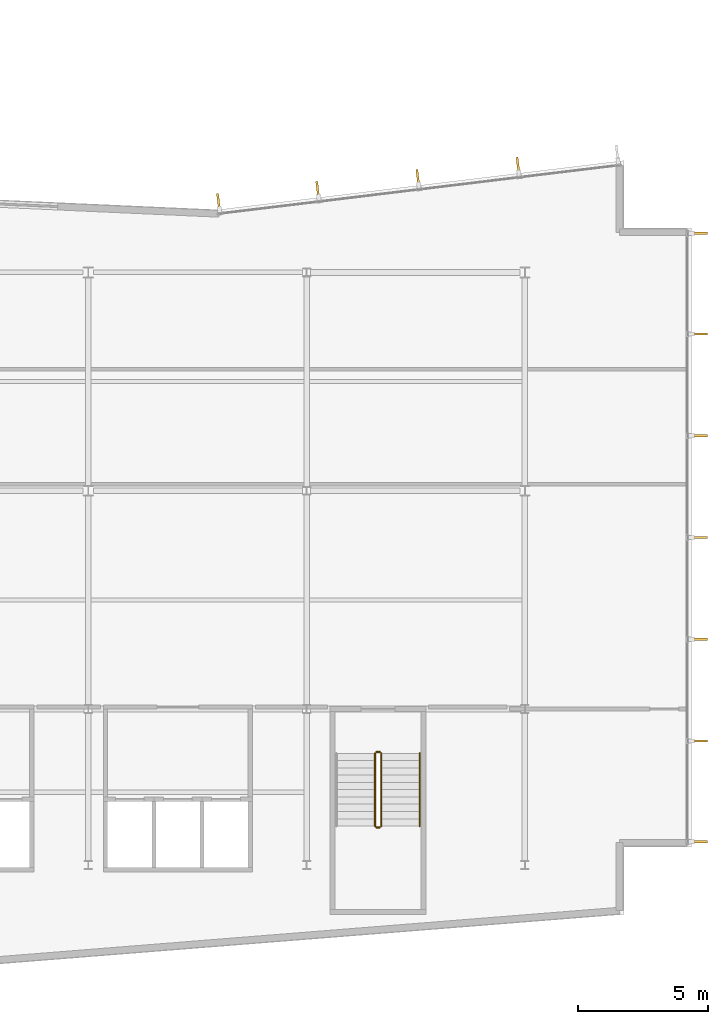
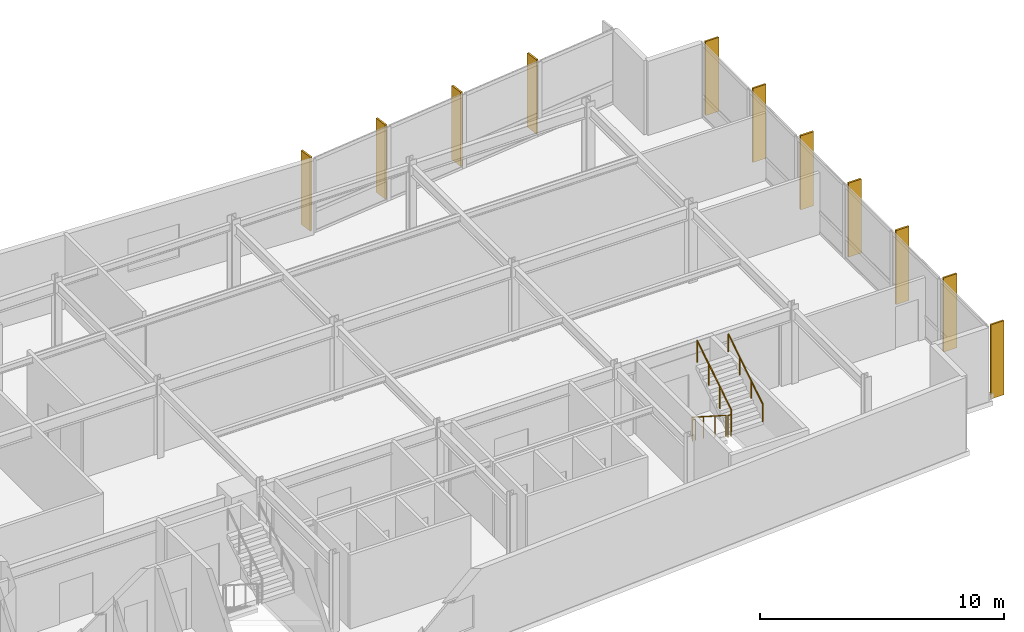
# One storey, part 15 of 17: 11 shading devices, 5 railings.
"""IFC4 building model written with IfcOpenShell, lengths in metres."""

from ifc_helpers import new_model, si_unit, direction, frame, origin, origin_2d, place, context, subcontext, project, spatial, rectangle, circle, extrude, material, layer, layer_set, type_object, element, save


model = new_model("IFC4")

# Units and contexts
model_context = context("Model", 3, precision=1e-05, world=origin(), true_north=direction((0.0, 1.0)))
body_context = subcontext(model_context, "Body", "Model", "MODEL_VIEW")
ifc_project = project(units=[si_unit("LENGTHUNIT", "METRE"), si_unit("AREAUNIT", "SQUARE_METRE"), si_unit("VOLUMEUNIT", "CUBIC_METRE"), si_unit("PLANEANGLEUNIT", "RADIAN"), si_unit("MASSUNIT", "GRAM", prefix="KILO")], contexts=[model_context])

# Site, building, storey
site_placement = place(None, origin())
site = spatial("IfcSite", under=ifc_project, at=site_placement, CompositionType="ELEMENT")
building_placement = place(site_placement, origin())
building = spatial("IfcBuilding", under=site, at=building_placement, Name="Varnakote Quay Hospital", CompositionType="ELEMENT")
storey_placement = place(building_placement, frame((0.0, 0.0, 103.35009765625)))
storey = spatial("IfcBuildingStorey", under=building, at=storey_placement, Name="L25", CompositionType="ELEMENT", Elevation=103.35009765625)

# Railings
ifc_material_1 = material(Name="Brushed stainless steel balustrade", Category="steel")
railing_type_1 = type_object("IfcRailingType", Name="RLG-STAIR-GUARD-1150", PredefinedType="GUARDRAIL", material=ifc_material_1)
railing_1_placement = place(storey_placement, frame((44.6298828125, 10.300048828125, 0.179443359375)))
element("IfcRailing", 1, at=railing_1_placement, inside=storey, type_object=railing_type_1, Name="L25 ST-03 stair guard 1", PredefinedType="GUARDRAIL", context=body_context, shape_type="SweptSolid", body=[
    extrude(circle(Radius=0.02392578125, at=origin_2d()), frame((0.0, 0.0, 1.076171875), z_axis=(0.0, -0.841809871826, 0.539774156196), x_axis=(1.0, 0.0, 0.0)), (0.0, 0.0, 1.0), 3.326171875),
    extrude(circle(Radius=0.02099609375, at=origin_2d()), origin(), (0.0, 0.0, 1.0), 1.052001953125),
    extrude(circle(Radius=0.02099609375, at=origin_2d()), frame((0.0, -0.933349609375, 0.598388671875)), (0.0, 0.0, 1.0), 1.052001953125),
    extrude(circle(Radius=0.02099609375, at=origin_2d()), frame((0.0, -1.86669921875, 1.197021484375)), (0.0, 0.0, 1.0), 1.052001953125),
    extrude(circle(Radius=0.02099609375, at=origin_2d()), frame((0.0, -2.800048828125, 1.79541015625)), (0.0, 0.0, 1.0), 1.052001953125),
])
railing_2_placement = place(storey_placement, frame((44.679931640625, 7.449951171875, 1.974853515625)))
element("IfcRailing", 2, at=railing_2_placement, inside=storey, type_object=railing_type_1, Name="L25 ST-03 stair guard 2", PredefinedType="GUARDRAIL", context=body_context, shape_type="SweptSolid", body=[
    extrude(circle(Radius=0.02392578125, at=origin_2d()), frame((0.0, 0.0, 1.076171875), z_axis=(1.0, 0.0, 0.0), x_axis=(0.0, 1.0, 0.0)), (0.0, 0.0, 1.0), 0.14013671875),
    extrude(circle(Radius=0.02099609375, at=origin_2d()), origin(), (0.0, 0.0, 1.0), 1.052001953125),
    extrude(circle(Radius=0.02099609375, at=origin_2d()), frame((0.14013671875, 0.0, 0.0)), (0.0, 0.0, 1.0), 1.052001953125),
])
railing_3_placement = place(storey_placement, frame((44.8701171875, 7.5, 2.154541015625)))
element("IfcRailing", 3, at=railing_3_placement, inside=storey, type_object=railing_type_1, Name="L25 ST-03 stair guard 3", PredefinedType="GUARDRAIL", context=body_context, shape_type="SweptSolid", body=[
    extrude(circle(Radius=0.02392578125, at=origin_2d()), frame((0.0, 0.0, 1.076171875), z_axis=(0.0, 0.841809871826, 0.539774156196), x_axis=(-1.0, 0.0, 0.0)), (0.0, 0.0, 1.0), 3.326171875),
    extrude(circle(Radius=0.02099609375, at=origin_2d()), origin(), (0.0, 0.0, 1.0), 1.052001953125),
    extrude(circle(Radius=0.02099609375, at=origin_2d()), frame((0.0, 0.933349609375, 0.598388671875)), (0.0, 0.0, 1.0), 1.052001953125),
    extrude(circle(Radius=0.02099609375, at=origin_2d()), frame((0.0, 1.86669921875, 1.197021484375)), (0.0, 0.0, 1.0), 1.052001953125),
    extrude(circle(Radius=0.02099609375, at=origin_2d()), frame((0.0, 2.800048828125, 1.79541015625)), (0.0, 0.0, 1.0), 1.052001953125),
])
railing_4_placement = place(storey_placement, frame((44.679931640625, 10.35009765625, 0.0)))
element("IfcRailing", 4, at=railing_4_placement, inside=storey, type_object=railing_type_1, Name="L25 ST-03 stair guard 4", PredefinedType="GUARDRAIL", context=body_context, shape_type="SweptSolid", body=[
    extrude(circle(Radius=0.02392578125, at=origin_2d()), frame((0.0, 0.0, 1.076171875), z_axis=(1.0, 0.0, 0.0), x_axis=(0.0, 1.0, 0.0)), (0.0, 0.0, 1.0), 0.14013671875),
    extrude(circle(Radius=0.02099609375, at=origin_2d()), origin(), (0.0, 0.0, 1.0), 1.052001953125),
    extrude(circle(Radius=0.02099609375, at=origin_2d()), frame((0.14013671875, 0.0, 0.0)), (0.0, 0.0, 1.0), 1.052001953125),
])
ifc_material_2 = material(Name="Brushed stainless steel handrail", Category="steel")
railing_type_2 = type_object("IfcRailingType", Name="RLG-STAIR-HND-920", PredefinedType="HANDRAIL", material=ifc_material_2)
railing_5_placement = place(storey_placement, frame((46.35009765625, 7.5, 2.154541015625)))
element("IfcRailing", 5, at=railing_5_placement, inside=storey, type_object=railing_type_2, Name="L25 ST-03 stair handrail 2", PredefinedType="HANDRAIL", context=body_context, shape_type="SweptSolid", body=[
    extrude(circle(Radius=0.02392578125, at=origin_2d()), frame((0.0, 0.0, 0.8759765625), z_axis=(0.0, 0.841809871826, 0.539774156196), x_axis=(-1.0, 0.0, 0.0)), (0.0, 0.0, 1.0), 3.326171875),
    extrude(circle(Radius=0.02099609375, at=origin_2d()), origin(), (0.0, 0.0, 1.0), 0.851806640625),
    extrude(circle(Radius=0.02099609375, at=origin_2d()), frame((0.0, 0.933349609375, 0.598388671875)), (0.0, 0.0, 1.0), 0.851806640625),
    extrude(circle(Radius=0.02099609375, at=origin_2d()), frame((0.0, 1.86669921875, 1.197021484375)), (0.0, 0.0, 1.0), 0.851806640625),
    extrude(circle(Radius=0.02099609375, at=origin_2d()), frame((0.0, 2.800048828125, 1.79541015625)), (0.0, 0.0, 1.0), 0.851806640625),
])

# Shading devices
ifc_material_3 = material(Name="Anodised aluminium 6063-T6 Bronze", Category="aluminium")
ifc_layer = layer(ifc_material_3, 0.0849609375)
ifc_layer_set = layer_set([ifc_layer], Name="Anodised aluminium 6063-T6 Bronze")
shading_device_type = type_object("IfcShadingDeviceType", Name="SHD-BRONZE-FIN-620", PredefinedType="USERDEFINED", material=ifc_layer_set)
for number, where, z_axis, x_axis, name in (
    (6, (57.110107421875, 6.8974609375, 0.0), (0.0, 0.0, 1.0), (-1.0, 0.0, 0.0), "L25 Anodised Bronze Vertical Shading FIN"),
    (7, (57.110107421875, 10.773193359375, 0.0), (0.0, 0.0, 1.0), (-1.0, 0.0, 0.0), "L25 Anodised Bronze Vertical Shading FIN"),
    (8, (57.110107421875, 14.686767578125, 0.0), (0.0, 0.0, 1.0), (-1.0, 0.0, 0.0), "L25 Anodised Bronze Vertical Shading FIN"),
    (9, (57.110107421875, 18.60009765625, 0.0), (0.0, 0.0, 1.0), (-1.0, 0.0, 0.0), "L25 Anodised Bronze Vertical Shading FIN"),
    (10, (57.110107421875, 22.51318359375, 0.0), (0.0, 0.0, 1.0), (-1.0, 0.0, 0.0), "L25 Anodised Bronze Vertical Shading FIN"),
    (11, (57.110107421875, 26.4267578125, 0.0), (0.0, 0.0, 1.0), (-1.0, 0.0, 0.0), "L25 Anodised Bronze Vertical Shading FIN"),
    (12, (57.110107421875, 30.302490234375, 0.0), (0.0, 0.0, 1.0), (-1.0, 0.0, 0.0), "L25 Anodised Bronze Vertical Shading FIN"),
    (13, (50.131103515625, 32.9189453125, 0.0), (0.0, 0.0, 1.0), (0.120310105847, -0.992736358975, 0.0), "L25 Anodised Bronze Vertical Shading FIN"),
    (14, (46.278564453125, 32.4521484375, 0.0), (0.0, 0.0, 1.0), (0.120310105847, -0.992736358975, 0.0), "L25 Anodised Bronze Vertical Shading FIN"),
    (15, (42.426025390625, 31.985107421875, 0.0), (0.0, 0.0, 1.0), (0.120310105847, -0.992736358975, 0.0), "L25 Anodised Bronze Vertical Shading FIN"),
    (16, (38.61083984375, 31.522705078125, 0.0), (0.0, 0.0, 1.0), (0.120310105847, -0.992736358975, 0.0), "L25 Anodised Bronze Vertical Shading FIN"),
):
    element("IfcShadingDevice", number, at=place(storey_placement, frame(where, z_axis=z_axis, x_axis=x_axis)), inside=storey, type_object=shading_device_type, Name=name, ObjectType="FIN", PredefinedType="USERDEFINED", context=body_context, shape_type="SweptSolid", body=[
        extrude(rectangle(XDim=0.6201171875, YDim=0.0849609375, at=origin_2d()), origin(), (0.0, 0.0, 1.0), 3.7099609375),
    ])

save(model, "model.ifc")
